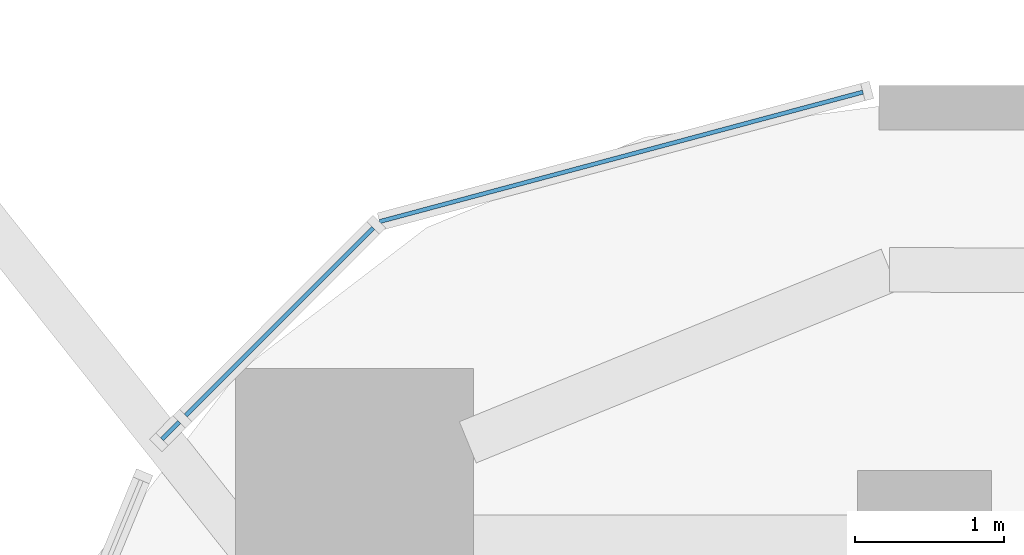
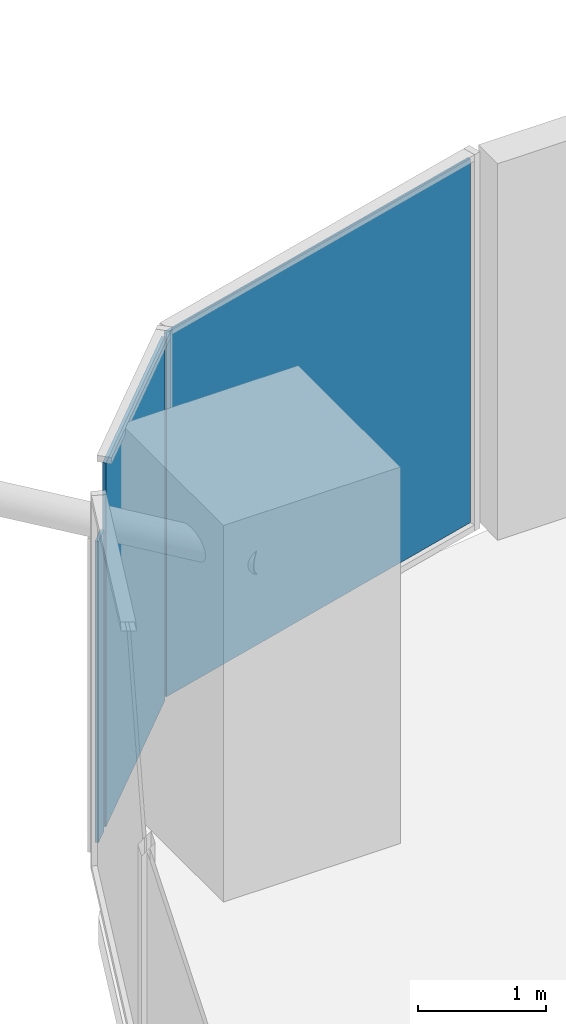
# One storey, part 24 of 34: 3 plates, 3 elements without a shape of their own.
"""IFC4 building model written with IfcOpenShell, lengths in metres."""

from ifc_helpers import new_model, si_unit, direction, frame, origin, origin_2d, place, context, subcontext, project, spatial, rectangle, extrude, material, layer, layer_set, type_object, element, aggregate, save


model = new_model("IFC4")

# Units and contexts
model_context = context("Model", 3, precision=1e-05, world=origin(), true_north=direction((0.0, 1.0)))
body_context = subcontext(model_context, "Body", "Model", "MODEL_VIEW")
ifc_project = project(units=[si_unit("LENGTHUNIT", "METRE"), si_unit("AREAUNIT", "SQUARE_METRE"), si_unit("VOLUMEUNIT", "CUBIC_METRE"), si_unit("PLANEANGLEUNIT", "RADIAN"), si_unit("MASSUNIT", "GRAM", prefix="KILO")], contexts=[model_context])

# Site, building, storey
site_placement = place(None, origin())
site = spatial("IfcSite", under=ifc_project, at=site_placement, CompositionType="ELEMENT")
building_placement = place(site_placement, origin())
building = spatial("IfcBuilding", under=site, at=building_placement, Name="Marenta Gate Hotel Tower", CompositionType="ELEMENT")
storey_placement = place(building_placement, frame((0.0, 0.0, 166.10009765625)))
storey = spatial("IfcBuildingStorey", under=building, at=storey_placement, Name="L39", CompositionType="ELEMENT", Elevation=166.10009765625)

# Curtain wall, plate
ifc_material_1 = material(Name="Tinted insulated glass in bronze anodised frame", Category="glass")
ifc_layer_1 = layer(ifc_material_1, 0.1201171875)
ifc_layer_set_1 = layer_set([ifc_layer_1], Name="Tinted insulated glass in bronze anodised frame")
curtain_wall_type = type_object("IfcCurtainWallType", Name="Tower unitised curtain wall CW1", PredefinedType="NOTDEFINED", material=ifc_layer_set_1)
curtain_wall_1_placement = place(storey_placement, origin())
curtain_wall_1 = element("IfcCurtainWall", 1, at=curtain_wall_1_placement, inside=storey, type_object=curtain_wall_type, Name="CW1 run G00", PredefinedType="NOTDEFINED")
ifc_material_2 = material(Name="Tinted insulated glass", Category="glass")
ifc_layer_2 = layer(ifc_material_2, 0.028076171875)
ifc_layer_set_2 = layer_set([ifc_layer_2], Name="Tinted insulated glass")
plate_type = type_object("IfcPlateType", Name="Glass panel CW1 28 mm tinted insulated unit", PredefinedType="CURTAIN_PANEL", material=ifc_layer_set_2)
plate_1_placement = place(storey_placement, frame((-23.04052734375, 27.759765625, 0.059814453125), z_axis=(0.0, 0.0, 1.0), x_axis=(-0.96593059835, -0.258801234873, 0.0)))
plate_1 = element("IfcPlate", 2, at=plate_1_placement, type_object=plate_type, Name="CW1 panel 1.1", PredefinedType="CURTAIN_PANEL", context=body_context, shape_type="SweptSolid", body=[
    extrude(rectangle(XDim=3.366943359375, YDim=0.028076171875, at=origin_2d()), origin(), (0.0, 0.0, 1.0), 3.47998046875),
])
aggregate(curtain_wall_1, [plate_1])

curtain_wall_2_placement = place(storey_placement, origin())
curtain_wall_2 = element("IfcCurtainWall", 3, at=curtain_wall_2_placement, inside=storey, type_object=curtain_wall_type, Name="CW1 run G01", PredefinedType="NOTDEFINED")
plate_2_placement = place(storey_placement, frame((-25.340087890625, 26.650634765625, 0.059814453125), z_axis=(0.0, 0.0, 1.0), x_axis=(-0.707106781187, -0.707106781187, 0.0)))
plate_2 = element("IfcPlate", 4, at=plate_2_placement, type_object=plate_type, Name="CW1 panel 1.1", PredefinedType="CURTAIN_PANEL", context=body_context, shape_type="SweptSolid", body=[
    extrude(rectangle(XDim=1.784912109375, YDim=0.028076171875, at=origin_2d()), origin(), (0.0, 0.0, 1.0), 3.47998046875),
])
aggregate(curtain_wall_2, [plate_2])

curtain_wall_3_placement = place(storey_placement, origin())
curtain_wall_3 = element("IfcCurtainWall", 5, at=curtain_wall_3_placement, inside=storey, type_object=curtain_wall_type, Name="CW1 run G02", PredefinedType="NOTDEFINED")
plate_3_placement = place(storey_placement, frame((-26.07177734375, 25.9189453125, 0.06005859375), z_axis=(0.0, 0.0, 1.0), x_axis=(-0.707106781187, -0.707106781187, 0.0)))
plate_3 = element("IfcPlate", 6, at=plate_3_placement, type_object=plate_type, Name="CW1 panel 1.1", PredefinedType="CURTAIN_PANEL", context=body_context, shape_type="SweptSolid", body=[
    extrude(rectangle(XDim=0.164306640625, YDim=0.028076171875, at=origin_2d()), origin(), (0.0, 0.0, 1.0), 2.880615234375),
])
aggregate(curtain_wall_3, [plate_3])

save(model, "model.ifc")
